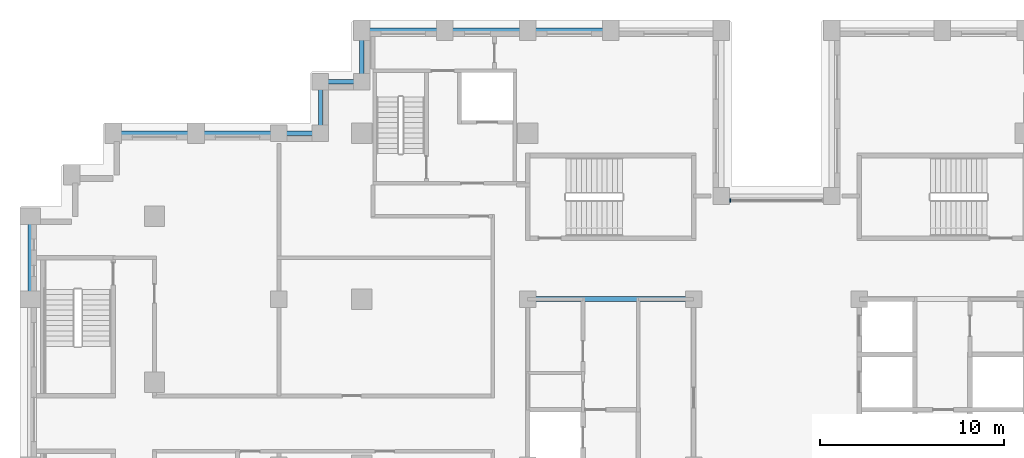
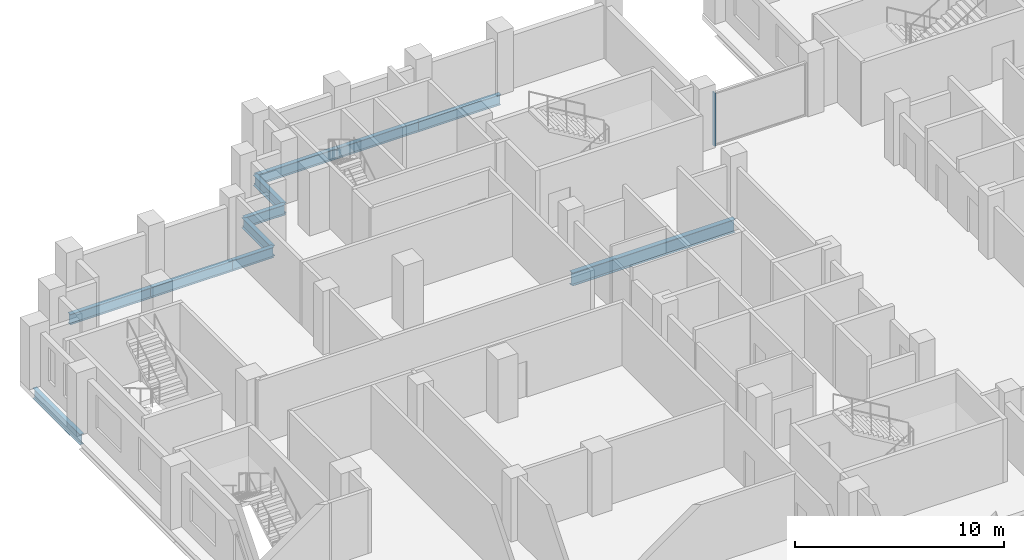
# One storey, part 3 of 15: 11 beams, 1 member, 1 element without a shape of its own.
"""IFC4 building model written with IfcOpenShell, lengths in metres."""

import ifcopenshell
import ifcopenshell.guid

model = None  # the IFC model being written
_history = None  # IfcOwnerHistory: only IFC2X3 demands one
_inside = {}  # id of a spatial element -> (the spatial element, [elements in it])
_under = {}  # id of a project, library or spatial element -> (it, [spatial elements below it])
_declared = {}  # id of a project -> (the project, [libraries it declares])
_typed = {}  # id of a type object -> (the type object, [elements of that type])
_made_of = {}  # id of a material, layer set ... -> (it, [elements and type objects made of it])


def new_model(schema):
    """Start an empty IFC model of exactly this schema.

    Asked for "IFC4X3", IfcOpenShell would pick the latest addendum, in which some entities
    have other attributes; the version numbers below select the first issue.
    IFC2X3 requires an IfcOwnerHistory on every rooted entity: one is made here for all.
    """
    global model, _history
    if schema == "IFC4X3":
        model = ifcopenshell.file(schema_version=(4, 3, 0, 0))
    else:
        model = ifcopenshell.file(schema=schema)
    _inside.clear()
    _under.clear()
    _declared.clear()
    _typed.clear()
    _made_of.clear()
    _history = None
    if model.schema == "IFC2X3":
        org = make("IfcOrganization", Name="unknown")
        user = make(
            "IfcPersonAndOrganization",
            ThePerson=make("IfcPerson", FamilyName="unknown"),
            TheOrganization=org,
        )
        app = make(
            "IfcApplication",
            ApplicationDeveloper=org,
            Version="unknown",
            ApplicationFullName="unknown",
            ApplicationIdentifier="unknown",
        )
        _history = make(
            "IfcOwnerHistory",
            OwningUser=user,
            OwningApplication=app,
            ChangeAction="ADDED",
            CreationDate=0,
        )
    return model


def make(cls, **values):
    """One entity of the class cls with the attributes given. An attribute that is None is left unset."""
    return model.create_entity(
        cls, **{name: value for name, value in values.items() if value is not None}
    )


def rooted(cls, **values):
    """An entity with a GlobalId (a new one), such as an element, a storey or a relation."""
    return make(cls, GlobalId=ifcopenshell.guid.new(), OwnerHistory=_history, **values)


def si_unit(unit_type, name, prefix=None):
    """IfcSIUnit, for example si_unit("LENGTHUNIT", "METRE", prefix="MILLI")."""
    return make("IfcSIUnit", UnitType=unit_type, Prefix=prefix, Name=name)


def assignment(units):
    """IfcUnitAssignment: the units of a project."""
    return None if units is None else make("IfcUnitAssignment", Units=units)


def point(xyz):
    """IfcCartesianPoint."""
    return None if xyz is None else make("IfcCartesianPoint", Coordinates=xyz)


def direction(xyz):
    """IfcDirection."""
    return None if xyz is None else make("IfcDirection", DirectionRatios=xyz)


def frame(location, z_axis=None, x_axis=None):
    """IfcAxis2Placement3D, a coordinate frame: its origin and axes. An axis left out is left unset."""
    return make(
        "IfcAxis2Placement3D",
        Location=point(location),
        Axis=direction(z_axis),
        RefDirection=direction(x_axis),
    )


def frame_2d(location, x_axis=None):
    """IfcAxis2Placement2D, a coordinate frame in the plane: its origin and x axis."""
    return make(
        "IfcAxis2Placement2D", Location=point(location), RefDirection=direction(x_axis)
    )


def origin():
    """The frame at (0, 0, 0) with its axes left unset."""
    return frame((0.0, 0.0, 0.0))


def origin_2d():
    """The frame at (0, 0) in the plane with its x axis left unset."""
    return frame_2d((0.0, 0.0))


def place(relative_to, where):
    """IfcLocalPlacement: puts the frame where relative to a parent placement (None: the world)."""
    return make(
        "IfcLocalPlacement", PlacementRelTo=relative_to, RelativePlacement=where
    )


def context(
    kind, dimensions, precision=None, world=None, true_north=None, identifier=None
):
    """IfcGeometricRepresentationContext, for example the 3D "Model" context."""
    return make(
        "IfcGeometricRepresentationContext",
        ContextIdentifier=identifier,
        ContextType=kind,
        CoordinateSpaceDimension=dimensions,
        Precision=precision,
        WorldCoordinateSystem=world,
        TrueNorth=true_north,
    )


def subcontext(parent, identifier, kind, view, scale=None):
    """IfcGeometricRepresentationSubContext, for example "Body" below "Model"."""
    return make(
        "IfcGeometricRepresentationSubContext",
        ContextIdentifier=identifier,
        ContextType=kind,
        ParentContext=parent,
        TargetScale=scale,
        TargetView=view,
    )


def project(units=None, contexts=None):
    """IfcProject with its units and contexts."""
    return rooted(
        "IfcProject",
        Name="project",
        RepresentationContexts=contexts,
        UnitsInContext=assignment(units),
    )


def spatial(cls, under=None, at=None, **own):
    """A site, building, storey or space (cls), placed at a placement, below another one or the project."""
    s = rooted(cls, ObjectPlacement=at, **own)
    if under is not None:
        _under.setdefault(under.id(), (under, []))[1].append(s)
    return s


def profile(cls, at=None, kind="AREA", **sizes):
    """A parametric profile (cls). Its sizes go by their IFC names, for example OverallWidth=200.0."""
    return make(cls, ProfileType=kind, Position=at, **sizes)


def rectangle(**sizes):
    """IfcRectangleProfileDef."""
    return profile("IfcRectangleProfileDef", **sizes)


def i_section(**sizes):
    """IfcIShapeProfileDef."""
    return profile("IfcIShapeProfileDef", **sizes)


def extrude(swept, where, along, depth):
    """IfcExtrudedAreaSolid: the profile swept, set in the frame where, extruded along a direction by depth."""
    return make(
        "IfcExtrudedAreaSolid",
        SweptArea=swept,
        Position=where,
        ExtrudedDirection=direction(along),
        Depth=depth,
    )


def shape(context_of_items, identifier, shape_type, items):
    """IfcShapeRepresentation: the items that make up one representation, for example the "Body"."""
    return make(
        "IfcShapeRepresentation",
        ContextOfItems=context_of_items,
        RepresentationIdentifier=identifier,
        RepresentationType=shape_type,
        Items=items,
    )


def material(Name=None, Category=None):
    """IfcMaterial."""
    return make("IfcMaterial", Name=Name, Category=Category)


def layer(
    of_material, thickness, ventilated=None, Name=None, Category=None, Priority=None
):
    """IfcMaterialLayer: one layer of a wall or slab, of a material (None: an air gap)."""
    return make(
        "IfcMaterialLayer",
        Material=of_material,
        LayerThickness=thickness,
        IsVentilated=ventilated,
        Name=Name,
        Category=Category,
        Priority=Priority,
    )


def layer_set(layers, Name=None):
    """IfcMaterialLayerSet."""
    return make("IfcMaterialLayerSet", MaterialLayers=layers, LayerSetName=Name)


def material_profile(
    of_material, cross_section, Name=None, Category=None, Priority=None
):
    """IfcMaterialProfile: a cross section and its material."""
    return make(
        "IfcMaterialProfile",
        Name=Name,
        Material=of_material,
        Profile=cross_section,
        Priority=Priority,
        Category=Category,
    )


def profile_set(profiles, Name=None, composite=None):
    """IfcMaterialProfileSet."""
    return make(
        "IfcMaterialProfileSet",
        Name=Name,
        MaterialProfiles=profiles,
        CompositeProfile=composite,
    )


def made_of(thing, what):
    """Note that an element or type object is made of a material, layer set ...; save() writes the relation."""
    if what is not None:
        _made_of.setdefault(what.id(), (what, []))[1].append(thing)
    return thing


def type_object(cls, material=None, **own):
    """A type object (cls), such as IfcWallType, which elements share."""
    return made_of(rooted(cls, **own), material)


def element(
    cls,
    number,
    at=None,
    inside=None,
    cuts=None,
    type_object=None,
    material=None,
    context=None,
    identifier="Body",
    shape_type=None,
    held_by="IfcProductDefinitionShape",
    body=None,
    shapes=None,
    **own,
):
    """One element of the class cls, such as IfcWall. Its Tag is "e" and its number.

    at: its placement. inside: the storey or other place that contains it. cuts: it is an
    opening in that element (IfcRelVoidsElement). A single representation is given by context,
    identifier, shape_type and body (its items); several are given by shapes. held_by: the class
    of the entity that holds the representations. save() writes the other relations.
    """
    e = rooted(cls, Tag="e%d" % number, ObjectPlacement=at, **own)
    if body is not None:
        shapes = [shape(context, identifier, shape_type, body)]
    if shapes is not None:
        e.Representation = make(held_by, Representations=shapes)
    if inside is not None:
        _inside.setdefault(inside.id(), (inside, []))[1].append(e)
    if cuts is not None:
        rooted(
            "IfcRelVoidsElement", RelatingBuildingElement=cuts, RelatedOpeningElement=e
        )
    if type_object is not None:
        _typed.setdefault(type_object.id(), (type_object, []))[1].append(e)
    return made_of(e, material)


def aggregate(whole, parts):
    """IfcRelAggregates: a whole, such as a stair, and the parts it consists of."""
    return rooted("IfcRelAggregates", RelatingObject=whole, RelatedObjects=parts)


def save(model, path):
    """Write the relations noted so far, then the file.

    IfcRelAggregates (storeys below a building ...), IfcRelContainedInSpatialStructure (elements
    in a storey), IfcRelDefinesByType, IfcRelAssociatesMaterial and IfcRelDeclares: one each for
    every whole, place, type object, material and project.
    """
    for whole, parts in _under.values():
        aggregate(whole, parts)
    for where, things in _inside.values():
        rooted(
            "IfcRelContainedInSpatialStructure",
            RelatedElements=things,
            RelatingStructure=where,
        )
    for kind, things in _typed.values():
        rooted("IfcRelDefinesByType", RelatedObjects=things, RelatingType=kind)
    for what, things in _made_of.values():
        rooted("IfcRelAssociatesMaterial", RelatedObjects=things, RelatingMaterial=what)
    for by, libraries in _declared.values():
        rooted("IfcRelDeclares", RelatingContext=by, RelatedDefinitions=libraries)
    model.write(path)


model = new_model("IFC4")

# Units and contexts
model_context = context("Model", 3, precision=1e-05, world=origin(), true_north=direction((0.0, 1.0)))
body_context = subcontext(model_context, "Body", "Model", "MODEL_VIEW")
ifc_project = project(units=[si_unit("LENGTHUNIT", "METRE"), si_unit("AREAUNIT", "SQUARE_METRE"), si_unit("VOLUMEUNIT", "CUBIC_METRE"), si_unit("PLANEANGLEUNIT", "RADIAN"), si_unit("MASSUNIT", "GRAM", prefix="KILO")], contexts=[model_context])

# Site, building, storey
site_placement = place(None, origin())
site = spatial("IfcSite", under=ifc_project, at=site_placement, CompositionType="ELEMENT")
building_placement = place(site_placement, origin())
building = spatial("IfcBuilding", under=site, at=building_placement, Name="Corbelhall Arena Tower", CompositionType="ELEMENT")
storey_placement = place(building_placement, frame((0.0, 0.0, 142.0)))
storey = spatial("IfcBuildingStorey", under=building, at=storey_placement, Name="L27", CompositionType="ELEMENT", Elevation=142.0)

# Curtain wall, member
ifc_material_1 = material(Name="Aluminium black anodised", Category="aluminium")
ifc_layer = layer(ifc_material_1, 0.199951171875)
ifc_layer_set = layer_set([ifc_layer], Name="EV-CW1 Slot back wall")
curtain_wall_type = type_object("IfcCurtainWallType", Name="EV-CW1 Slot back wall", PredefinedType="NOTDEFINED", material=ifc_layer_set)
curtain_wall_placement = place(storey_placement, origin())
curtain_wall = element("IfcCurtainWall", 1, at=curtain_wall_placement, inside=storey, type_object=curtain_wall_type, Name="Curtain wall CW1", PredefinedType="NOTDEFINED")
ifc_material_profile_1 = material_profile(ifc_material_1, rectangle(XDim=0.199951171875, YDim=0.074951171875, at=origin_2d()))
ifc_profile_set_1 = profile_set([ifc_material_profile_1], Name="Aluminium black anodised")
member_type = type_object("IfcMemberType", Name="EV-CW1-MULLION", PredefinedType="MULLION", material=ifc_profile_set_1)
member_placement = place(storey_placement, frame((-2.512451171875, 14.35009765625, 0.0), z_axis=(0.0, 0.0, 1.0), x_axis=(0.0, -1.0, 0.0)))
member = element("IfcMember", 2, at=member_placement, type_object=member_type, Name="CW1 mullion 2", PredefinedType="MULLION", context=body_context, shape_type="SweptSolid", body=[
    extrude(rectangle(XDim=0.199951171875, YDim=0.074951171875, at=origin_2d()), origin(), (0.0, 0.0, 1.0), 3.10009765625),
])
aggregate(curtain_wall, [member])

# Beams
ifc_material_2 = material(Name="Steel ASTM A992 Gr50", Category="steel")
ifc_material_profile_2 = material_profile(ifc_material_2, i_section(OverallWidth=0.2666015625, OverallDepth=0.761962890625, WebThickness=0.014404296875, FlangeThickness=0.021484375, at=origin_2d()))
ifc_profile_set_2 = profile_set([ifc_material_profile_2], Name="Steel ASTM A992 Gr50")
beam_type_1 = type_object("IfcBeamType", Name="ST-BEAM-W30x116", PredefinedType="BEAM", material=ifc_profile_set_2)
beam_1_placement = place(storey_placement, frame((-13.5, 9.0, -0.680908203125), z_axis=(1.0, 0.0, 0.0), x_axis=(0.0, 1.0, 0.0)))
element("IfcBeam", 3, at=beam_1_placement, inside=storey, type_object=beam_type_1, Name="Beam CEW 6", PredefinedType="BEAM", context=body_context, shape_type="SweptSolid", body=[
    extrude(i_section(OverallWidth=0.2666015625, OverallDepth=0.761962890625, WebThickness=0.014404296875, FlangeThickness=0.021484375, at=origin_2d()), origin(), (0.0, 0.0, 1.0), 9.0),
])
ifc_material_profile_3 = material_profile(ifc_material_2, i_section(OverallWidth=0.22900390625, OverallDepth=0.612060546875, WebThickness=0.011962890625, FlangeThickness=0.01953125, at=origin_2d()))
ifc_profile_set_3 = profile_set([ifc_material_profile_3], Name="Steel ASTM A992 Gr50")
beam_type_2 = type_object("IfcBeamType", Name="ST-SPANDREL-W24x84", PredefinedType="SPANDREL", material=ifc_profile_set_3)
for number, where, z_axis, x_axis, name in (
    (4, (-40.5, 9.0, -0.60595703125), (0.0, 1.0, 0.0), (-1.0, 0.0, 0.0), "Beam SP 2"),
    (5, (-31.5, 18.0, -0.60595703125), (1.0, 0.0, 0.0), (0.0, 1.0, 0.0), "Beam SP 5"),
    (6, (-36.0, 18.0, -0.60595703125), (1.0, 0.0, 0.0), (0.0, 1.0, 0.0), "Beam SP 6"),
    (7, (-13.5, 23.60009765625, -0.60595703125), (1.0, 0.0, 0.0), (0.0, 1.0, 0.0), "Beam SP 24"),
    (8, (-18.0, 23.60009765625, -0.60595703125), (1.0, 0.0, 0.0), (0.0, 1.0, 0.0), "Beam SP 25"),
    (9, (-22.5, 23.60009765625, -0.60595703125), (1.0, 0.0, 0.0), (0.0, 1.0, 0.0), "Beam SP 26"),
):
    element("IfcBeam", number, at=place(storey_placement, frame(where, z_axis=z_axis, x_axis=x_axis)), inside=storey, type_object=beam_type_2, Name=name, PredefinedType="SPANDREL", context=body_context, shape_type="SweptSolid", body=[
        extrude(i_section(OverallWidth=0.22900390625, OverallDepth=0.612060546875, WebThickness=0.011962890625, FlangeThickness=0.01953125, at=origin_2d()), origin(), (0.0, 0.0, 1.0), 4.5),
    ])
beam_2_placement = place(storey_placement, frame((-27.0, 18.0, -0.60595703125), z_axis=(1.0, 0.0, 0.0), x_axis=(0.0, 1.0, 0.0)))
element("IfcBeam", 10, at=beam_2_placement, inside=storey, type_object=beam_type_2, Name="Beam SP 37", PredefinedType="SPANDREL", context=body_context, shape_type="SweptSolid", body=[
    extrude(i_section(OverallWidth=0.22900390625, OverallDepth=0.612060546875, WebThickness=0.011962890625, FlangeThickness=0.01953125, at=origin_2d()), origin(), (0.0, 0.0, 1.0), 2.25),
])
beam_3_placement = place(storey_placement, frame((-22.5, 20.800048828125, -0.60595703125), z_axis=(0.0, 1.0, 0.0), x_axis=(-1.0, 0.0, 0.0)))
element("IfcBeam", 11, at=beam_3_placement, inside=storey, type_object=beam_type_2, Name="Beam SP 46", PredefinedType="SPANDREL", context=body_context, shape_type="SweptSolid", body=[
    extrude(i_section(OverallWidth=0.22900390625, OverallDepth=0.612060546875, WebThickness=0.011962890625, FlangeThickness=0.01953125, at=origin_2d()), origin(), (0.0, 0.0, 1.0), 2.800048828125),
])
beam_4_placement = place(storey_placement, frame((-24.75, 20.800048828125, -0.60595703125), z_axis=(1.0, 0.0, 0.0), x_axis=(0.0, 1.0, 0.0)))
element("IfcBeam", 12, at=beam_4_placement, inside=storey, type_object=beam_type_2, Name="Beam SP 47", PredefinedType="SPANDREL", context=body_context, shape_type="SweptSolid", body=[
    extrude(i_section(OverallWidth=0.22900390625, OverallDepth=0.612060546875, WebThickness=0.011962890625, FlangeThickness=0.01953125, at=origin_2d()), origin(), (0.0, 0.0, 1.0), 2.25),
])
beam_5_placement = place(storey_placement, frame((-24.75, 18.0, -0.60595703125), z_axis=(0.0, 1.0, 0.0), x_axis=(-1.0, 0.0, 0.0)))
element("IfcBeam", 13, at=beam_5_placement, inside=storey, type_object=beam_type_2, Name="Beam SP 48", PredefinedType="SPANDREL", context=body_context, shape_type="SweptSolid", body=[
    extrude(i_section(OverallWidth=0.22900390625, OverallDepth=0.612060546875, WebThickness=0.011962890625, FlangeThickness=0.01953125, at=origin_2d()), origin(), (0.0, 0.0, 1.0), 2.800048828125),
])

save(model, "model.ifc")
